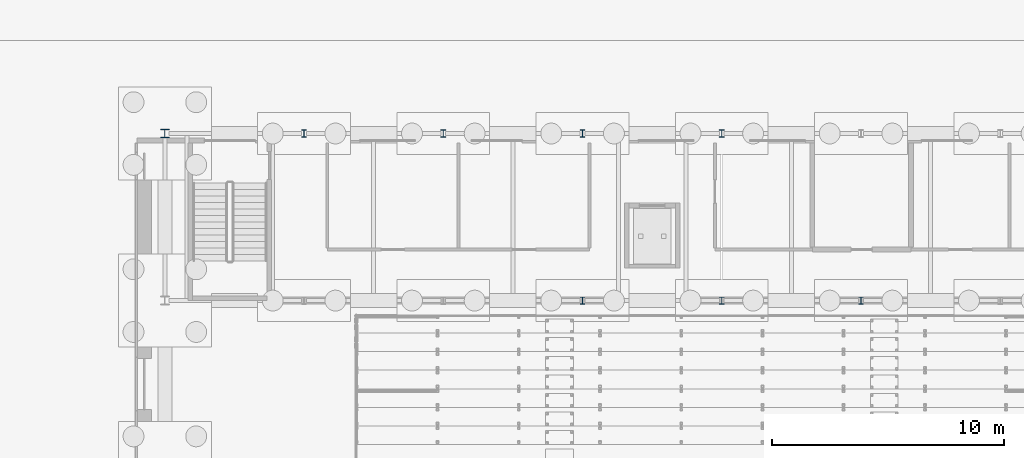
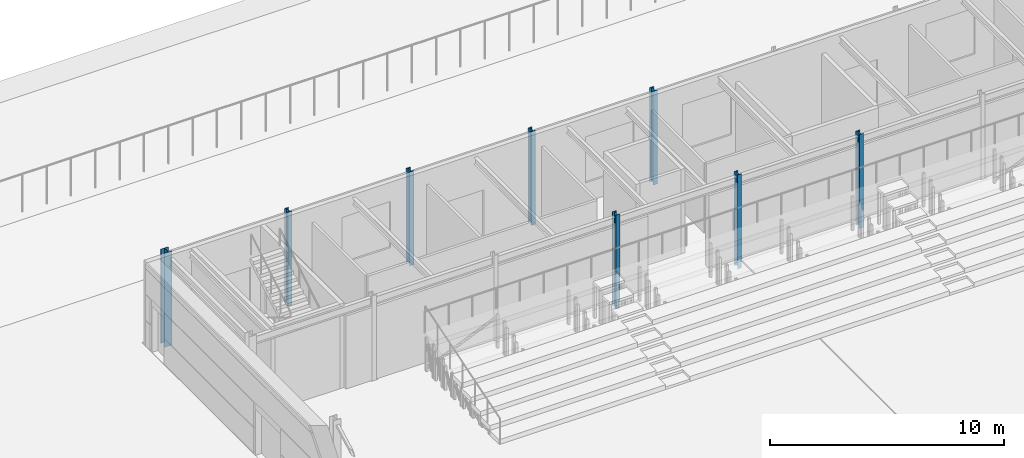
# One storey, part 15 of 139: 8 columns.
"""IFC4 building model written with IfcOpenShell, lengths in metres."""

from ifc_helpers import new_model, si_unit, direction, frame, origin, origin_2d, place, context, subcontext, project, spatial, i_section, extrude, material, material_profile, profile_set, type_object, element, save


model = new_model("IFC4")

# Units and contexts
model_context = context("Model", 3, precision=1e-05, world=origin(), true_north=direction((0.0, 1.0)))
body_context = subcontext(model_context, "Body", "Model", "MODEL_VIEW")
ifc_project = project(units=[si_unit("LENGTHUNIT", "METRE"), si_unit("AREAUNIT", "SQUARE_METRE"), si_unit("VOLUMEUNIT", "CUBIC_METRE"), si_unit("PLANEANGLEUNIT", "RADIAN"), si_unit("MASSUNIT", "GRAM", prefix="KILO")], contexts=[model_context])

# Site, building, storey
site_placement = place(None, origin())
site = spatial("IfcSite", under=ifc_project, at=site_placement, CompositionType="ELEMENT")
building_placement = place(site_placement, origin())
building = spatial("IfcBuilding", under=site, at=building_placement, Name="Verrick Yard Athletic Hall", CompositionType="ELEMENT")
storey_placement = place(building_placement, origin())
storey = spatial("IfcBuildingStorey", under=building, at=storey_placement, Name="L00", CompositionType="ELEMENT", Elevation=0.0)

# Columns
ifc_material = material(Name="Structural steel 350W (CSA G40.21)", Category="steel")
ifc_material_profile_1 = material_profile(ifc_material, i_section(OverallWidth=0.205078125, OverallDepth=0.31005859375, WebThickness=0.009521484375, FlangeThickness=0.016357421875, at=origin_2d()), Name="W310x74")
ifc_profile_set_1 = profile_set([ifc_material_profile_1], Name="Structural steel 350W (CSA G40.21)")
column_type_1 = type_object("IfcColumnType", Name="HB column W310x74", PredefinedType="COLUMN", material=ifc_profile_set_1)
for number, where, z_axis, x_axis, name in (
    (1, (34.0, 108.0, -0.5), (0.0, 0.0, 1.0), (1.0, 0.0, 0.0), "HB-C-B-B1N-L00"),
    (2, (40.0, 108.0, -0.5), (0.0, 0.0, 1.0), (1.0, 0.0, 0.0), "HB-C-B-B2N-L00"),
    (3, (46.0, 100.800048828125, -0.5), (0.0, 0.0, 1.0), (1.0, 0.0, 0.0), "HB-C-B-B3S-L00"),
    (4, (46.0, 108.0, -0.5), (0.0, 0.0, 1.0), (1.0, 0.0, 0.0), "HB-C-B-B3N-L00"),
    (5, (52.0, 100.800048828125, -0.5), (0.0, 0.0, 1.0), (1.0, 0.0, 0.0), "HB-C-B-B4S-L00"),
    (6, (52.0, 108.0, -0.5), (0.0, 0.0, 1.0), (1.0, 0.0, 0.0), "HB-C-B-B4N-L00"),
    (7, (58.0, 100.800048828125, -0.5), (0.0, 0.0, 1.0), (1.0, 0.0, 0.0), "HB-C-B-B5S-L00"),
):
    element("IfcColumn", number, at=place(storey_placement, frame(where, z_axis=z_axis, x_axis=x_axis)), inside=storey, type_object=column_type_1, Name=name, PredefinedType="COLUMN", context=body_context, shape_type="SweptSolid", body=[
        extrude(i_section(OverallWidth=0.205078125, OverallDepth=0.31005859375, WebThickness=0.009521484375, FlangeThickness=0.016357421875, at=origin_2d()), origin(), (0.0, 0.0, 1.0), 4.89990234375),
    ])
ifc_material_profile_2 = material_profile(ifc_material, i_section(OverallWidth=0.368896484375, OverallDepth=0.35595703125, WebThickness=0.01123046875, FlangeThickness=0.01806640625, at=origin_2d()), Name="W360x134")
ifc_profile_set_2 = profile_set([ifc_material_profile_2], Name="Structural steel 350W (CSA G40.21)")
column_type_2 = type_object("IfcColumnType", Name="HB column W360x134", PredefinedType="COLUMN", material=ifc_profile_set_2)
column_placement = place(storey_placement, frame((28.0, 108.0, -0.5), z_axis=(0.0, 0.0, 1.0), x_axis=(1.0, 0.0, 0.0)))
element("IfcColumn", 8, at=column_placement, inside=storey, type_object=column_type_2, Name="HB-C-HBW6-L00", PredefinedType="COLUMN", context=body_context, shape_type="SweptSolid", body=[
    extrude(i_section(OverallWidth=0.368896484375, OverallDepth=0.35595703125, WebThickness=0.01123046875, FlangeThickness=0.01806640625, at=origin_2d()), origin(), (0.0, 0.0, 1.0), 4.89990234375),
])

save(model, "model.ifc")
